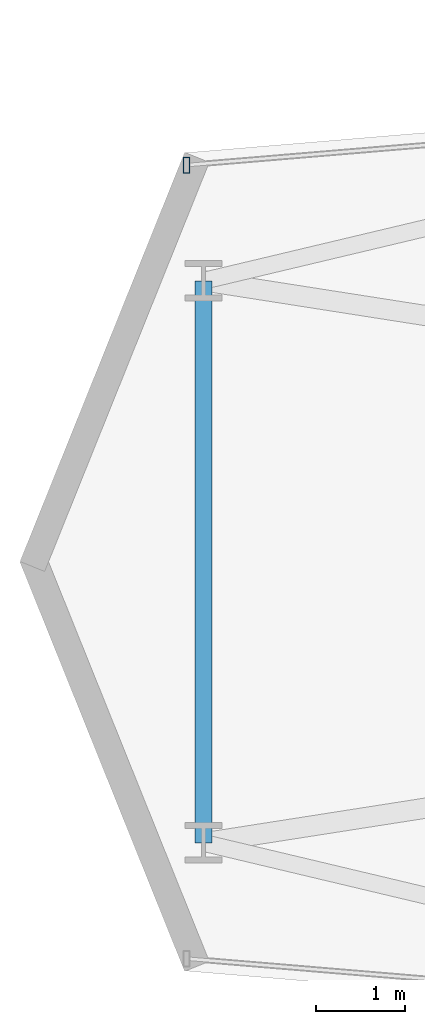
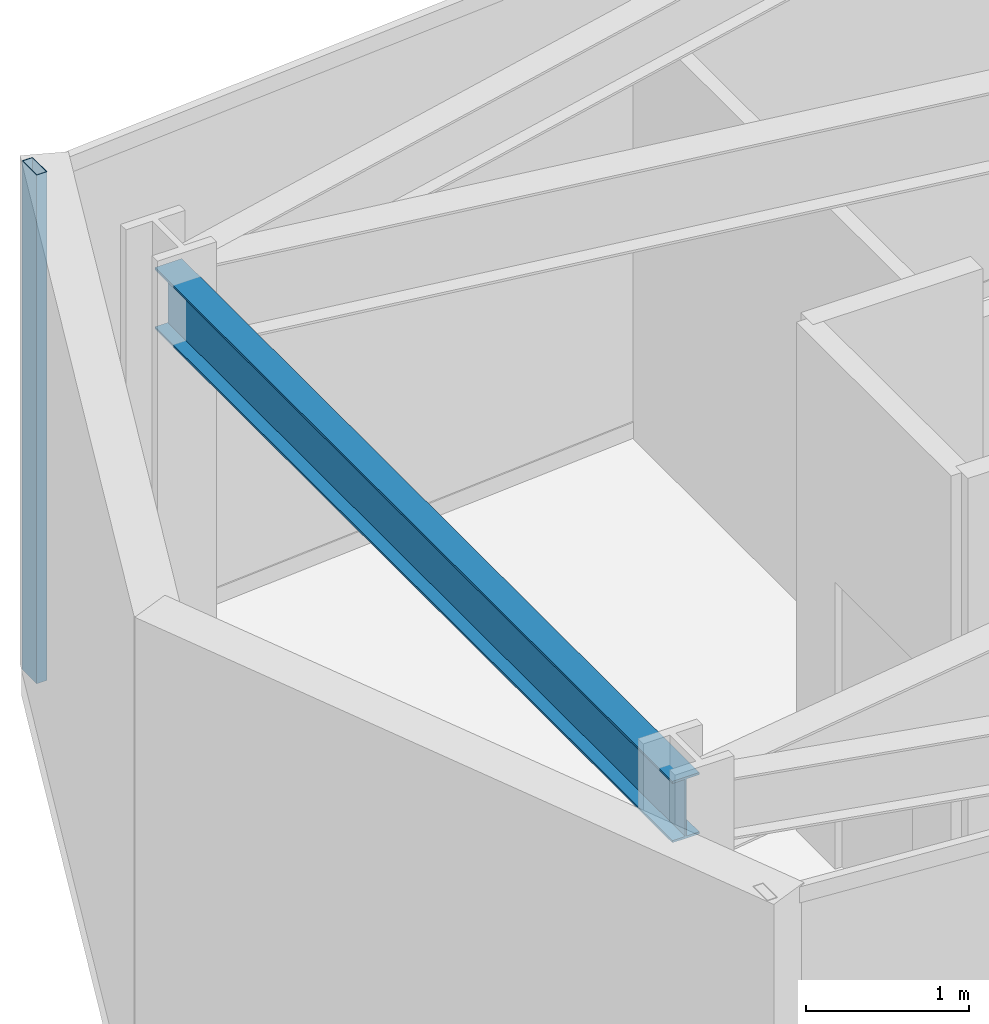
# One storey, part 6 of 25: 1 beam, 1 member, 1 element without a shape of its own.
"""IFC4 building model written with IfcOpenShell, lengths in metres."""

from ifc_helpers import new_model, si_unit, direction, frame, origin, origin_2d, place, context, subcontext, project, spatial, hollow_rectangle, i_section, extrude, material, layer, layer_set, material_profile, profile_set, type_object, element, aggregate, save


model = new_model("IFC4")

# Units and contexts
model_context = context("Model", 3, precision=1e-05, world=origin(), true_north=direction((0.0, 1.0)))
body_context = subcontext(model_context, "Body", "Model", "MODEL_VIEW")
ifc_project = project(units=[si_unit("LENGTHUNIT", "METRE"), si_unit("AREAUNIT", "SQUARE_METRE"), si_unit("VOLUMEUNIT", "CUBIC_METRE"), si_unit("PLANEANGLEUNIT", "RADIAN"), si_unit("MASSUNIT", "GRAM", prefix="KILO")], contexts=[model_context])

# Site, building, storey
site_placement = place(None, origin())
site = spatial("IfcSite", under=ifc_project, at=site_placement, CompositionType="ELEMENT")
building_placement = place(site_placement, origin())
building = spatial("IfcBuilding", under=site, at=building_placement, Name="Veymaron Broadcast Tower", CompositionType="ELEMENT")
storey_placement = place(building_placement, frame((0.0, 0.0, 129.0)))
storey = spatial("IfcBuildingStorey", under=building, at=storey_placement, Name="L29", CompositionType="ELEMENT", Elevation=129.0)

# Beam
ifc_material_1 = material(Name="Structural steel ASTM A992 Gr 50", Category="steel")
ifc_material_profile_1 = material_profile(ifc_material_1, i_section(OverallWidth=0.19091796875, OverallDepth=0.4599609375, WebThickness=0.010009765625, FlangeThickness=0.01611328125, at=origin_2d()), Name="W460X82")
ifc_profile_set_1 = profile_set([ifc_material_profile_1], Name="Structural steel ASTM A992 Gr 50")
beam_type = type_object("IfcBeamType", Name="BM-SP1", PredefinedType="SPANDREL", material=ifc_profile_set_1)
beam_placement = place(storey_placement, frame((10.905029296875, 20.824951171875, 3.580078125), z_axis=(0.0, 1.0, 0.0), x_axis=(-1.0, 0.0, 0.0)))
element("IfcBeam", 1, at=beam_placement, inside=storey, type_object=beam_type, Name="L29 primary structural floor girder", PredefinedType="SPANDREL", context=body_context, shape_type="SweptSolid", body=[
    extrude(i_section(OverallWidth=0.19091796875, OverallDepth=0.4599609375, WebThickness=0.010009765625, FlangeThickness=0.01611328125, at=origin_2d()), origin(), (0.0, 0.0, 1.0), 6.35009765625),
])

# Curtain wall, member
ifc_material_2 = material(Name="Anodised aluminium AA 6063-T6 and laminated low-E dark glass", Category="aluminium")
ifc_layer = layer(ifc_material_2, 0.179931640625)
ifc_layer_set = layer_set([ifc_layer], Name="Anodised aluminium AA 6063-T6 and laminated low-E dark glass")
curtain_wall_type = type_object("IfcCurtainWallType", Name="CW-SYS-03", PredefinedType="NOTDEFINED", material=ifc_layer_set)
curtain_wall_placement = place(storey_placement, origin())
curtain_wall = element("IfcCurtainWall", 2, at=curtain_wall_placement, inside=storey, type_object=curtain_wall_type, Name="L29 dark-glass curtain wall CW-L29-E11-1", PredefinedType="NOTDEFINED")
ifc_material_3 = material(Name="Anodised aluminium AA 6063-T6", Category="aluminium")
ifc_material_profile_2 = material_profile(ifc_material_3, hollow_rectangle(XDim=0.074951171875, YDim=0.179931640625, WallThickness=0.0048828125, at=origin_2d()), Name="AL180X75X5")
ifc_profile_set_2 = profile_set([ifc_material_profile_2], Name="Anodised aluminium AA 6063-T6")
member_type = type_object("IfcMemberType", Name="CW-MUL-02", PredefinedType="MULLION", material=ifc_profile_set_2)
member_placement = place(storey_placement, frame((10.711669921875, 28.482666015625, 0.0), z_axis=(0.0, 0.0, 1.0), x_axis=(1.0, 0.0, 0.0)))
member = element("IfcMember", 3, at=member_placement, type_object=member_type, Name="CW-L29-E11-1 mullion 2", PredefinedType="MULLION", context=body_context, shape_type="SweptSolid", body=[
    extrude(hollow_rectangle(XDim=0.074951171875, YDim=0.179931640625, WallThickness=0.0048828125, at=origin_2d()), origin(), (0.0, 0.0, 1.0), 3.81005859375),
])
aggregate(curtain_wall, [member])

save(model, "model.ifc")
